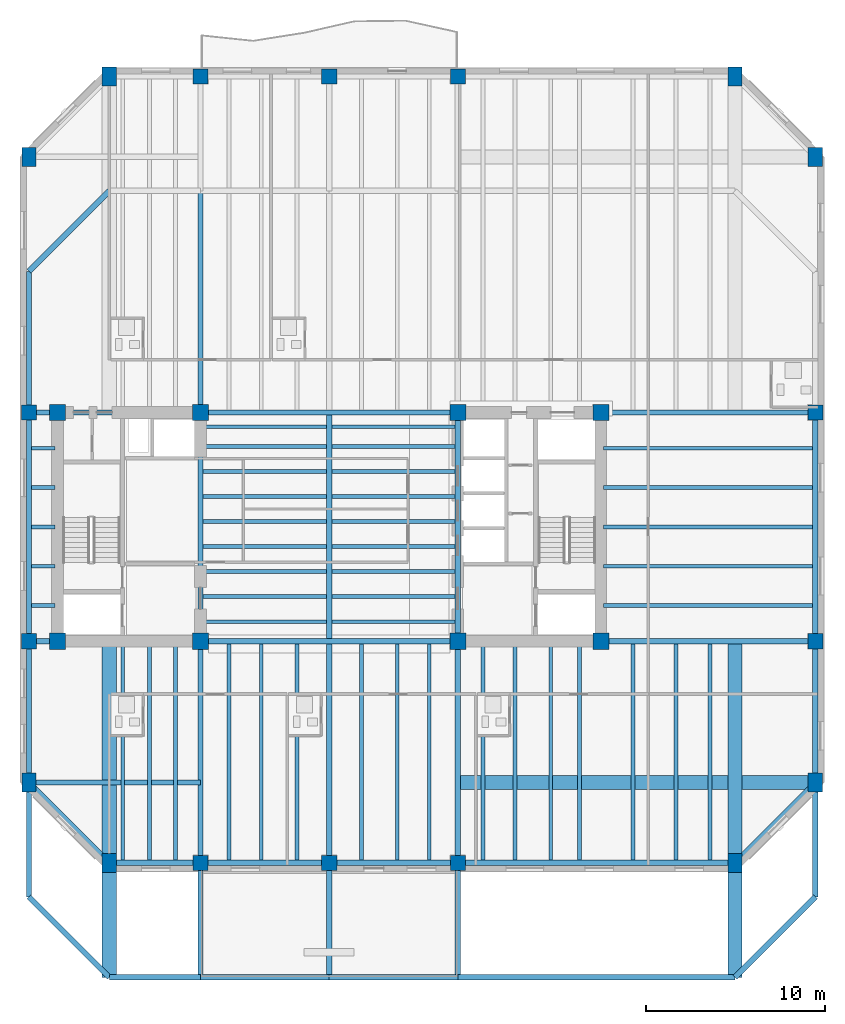
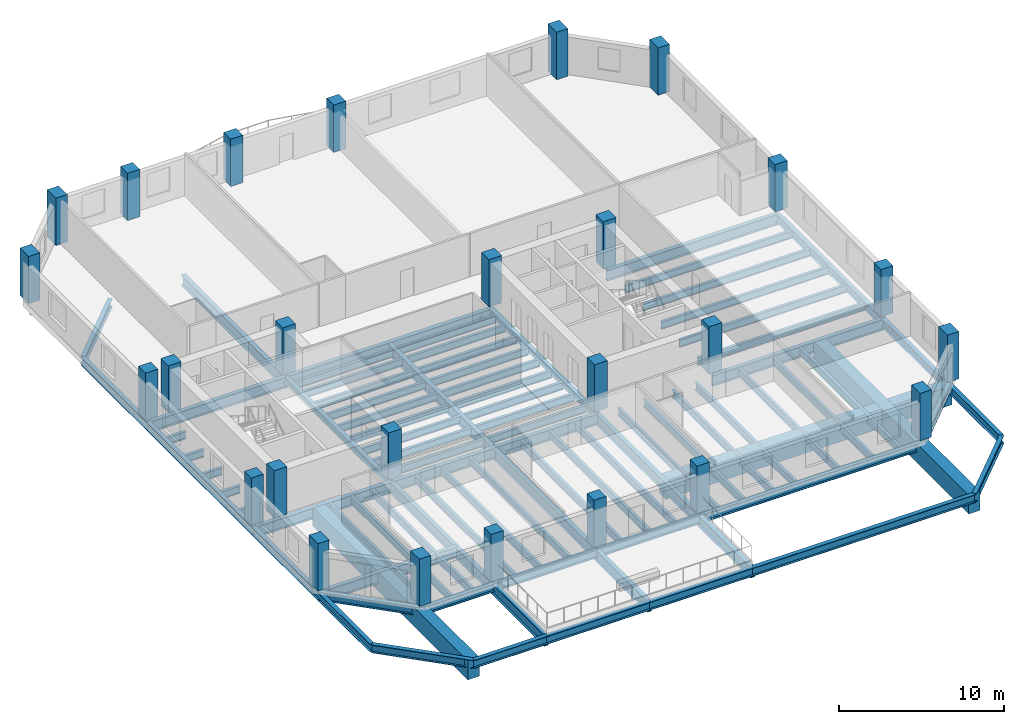
# One storey, part 1 of 10: 79 beams, 26 columns.
"""IFC4 building model written with IfcOpenShell, lengths in metres."""

from ifc_helpers import new_model, si_unit, direction, frame, origin, origin_2d, place, context, subcontext, project, spatial, rectangle, i_section, extrude, material, material_profile, profile_set, type_object, element, save


model = new_model("IFC4")

# Units and contexts
model_context = context("Model", 3, precision=1e-05, world=origin(), true_north=direction((0.0, 1.0)))
body_context = subcontext(model_context, "Body", "Model", "MODEL_VIEW")
ifc_project = project(units=[si_unit("LENGTHUNIT", "METRE"), si_unit("AREAUNIT", "SQUARE_METRE"), si_unit("VOLUMEUNIT", "CUBIC_METRE"), si_unit("PLANEANGLEUNIT", "RADIAN"), si_unit("MASSUNIT", "GRAM", prefix="KILO")], contexts=[model_context])

# Site, building, storey
site_placement = place(None, origin())
site = spatial("IfcSite", under=ifc_project, at=site_placement, CompositionType="ELEMENT")
building_placement = place(site_placement, origin())
building = spatial("IfcBuilding", under=site, at=building_placement, Name="Kranthara Brick Stack", CompositionType="ELEMENT")
storey_placement = place(building_placement, frame((0.0, 0.0, 162.300048828125)))
storey = spatial("IfcBuildingStorey", under=building, at=storey_placement, Name="L41", CompositionType="ELEMENT", Elevation=162.300048828125)

# Columns
ifc_material_1 = material(Name="Concrete C60/75", Category="concrete")
ifc_material_profile_1 = material_profile(ifc_material_1, rectangle(XDim=0.800048828125, YDim=1.050048828125, at=origin_2d()), Name="RC 800x1050")
ifc_profile_set_1 = profile_set([ifc_material_profile_1], Name="Concrete C60/75")
column_type_1 = type_object("IfcColumnType", Name="COL-CHAM-800x1050", PredefinedType="COLUMN", material=ifc_profile_set_1)
for number, where, z_axis, x_axis, name in (
    (1, (15.699951171875, 8.39990234375, 0.0), (0.0, 0.0, 1.0), (1.0, 0.0, 0.0), "L41 Column 09"),
    (2, (15.699951171875, 52.39990234375, 0.0), (0.0, 0.0, 1.0), (1.0, 0.0, 0.0), "L41 Column 10"),
    (3, (50.699951171875, 8.39990234375, 0.0), (0.0, 0.0, 1.0), (1.0, 0.0, 0.0), "L41 Column 17"),
    (4, (50.699951171875, 52.39990234375, 0.0), (0.0, 0.0, 1.0), (1.0, 0.0, 0.0), "L41 Column 18"),
    (5, (11.199951171875, 12.89990234375, 0.0), (0.0, 0.0, 1.0), (1.0, 0.0, 0.0), "L41 Column 19"),
    (6, (55.199951171875, 12.89990234375, 0.0), (0.0, 0.0, 1.0), (1.0, 0.0, 0.0), "L41 Column 20"),
    (7, (11.199951171875, 47.89990234375, 0.0), (0.0, 0.0, 1.0), (1.0, 0.0, 0.0), "L41 Column 25"),
    (8, (55.199951171875, 47.89990234375, 0.0), (0.0, 0.0, 1.0), (1.0, 0.0, 0.0), "L41 Column 26"),
):
    element("IfcColumn", number, at=place(storey_placement, frame(where, z_axis=z_axis, x_axis=x_axis)), inside=storey, type_object=column_type_1, Name=name, PredefinedType="COLUMN", context=body_context, shape_type="SweptSolid", body=[
        extrude(rectangle(XDim=0.800048828125, YDim=1.050048828125, at=origin_2d()), origin(), (0.0, 0.0, 1.0), 3.5),
    ])
ifc_material_2 = material(Name="Concrete C60/75", Category="concrete")
ifc_material_profile_2 = material_profile(ifc_material_2, rectangle(XDim=0.89990234375, YDim=0.89990234375, at=origin_2d()), Name="RC 900x900")
ifc_profile_set_2 = profile_set([ifc_material_profile_2], Name="Concrete C60/75")
column_type_2 = type_object("IfcColumnType", Name="COL-CORE-900", PredefinedType="COLUMN", material=ifc_profile_set_2)
for number, where, z_axis, x_axis, name in (
    (9, (12.800048828125, 20.800048828125, 0.0), (0.0, 0.0, 1.0), (1.0, 0.0, 0.0), "L41 Column 01"),
    (10, (20.800048828125, 20.800048828125, 0.0), (0.0, 0.0, 1.0), (1.0, 0.0, 0.0), "L41 Column 02"),
    (11, (12.800048828125, 33.60009765625, 0.0), (0.0, 0.0, 1.0), (1.0, 0.0, 0.0), "L41 Column 03"),
    (12, (20.800048828125, 33.60009765625, 0.0), (0.0, 0.0, 1.0), (1.0, 0.0, 0.0), "L41 Column 04"),
    (13, (35.199951171875, 20.800048828125, 0.0), (0.0, 0.0, 1.0), (1.0, 0.0, 0.0), "L41 Column 05"),
    (14, (43.199951171875, 20.800048828125, 0.0), (0.0, 0.0, 1.0), (1.0, 0.0, 0.0), "L41 Column 06"),
    (15, (35.199951171875, 33.60009765625, 0.0), (0.0, 0.0, 1.0), (1.0, 0.0, 0.0), "L41 Column 07"),
    (16, (43.199951171875, 33.60009765625, 0.0), (0.0, 0.0, 1.0), (1.0, 0.0, 0.0), "L41 Column 08"),
):
    element("IfcColumn", number, at=place(storey_placement, frame(where, z_axis=z_axis, x_axis=x_axis)), inside=storey, type_object=column_type_2, Name=name, PredefinedType="COLUMN", context=body_context, shape_type="SweptSolid", body=[
        extrude(rectangle(XDim=0.89990234375, YDim=0.89990234375, at=origin_2d()), origin(), (0.0, 0.0, 1.0), 3.5),
    ])
ifc_material_3 = material(Name="Concrete C50/60", Category="concrete")
ifc_material_profile_3 = material_profile(ifc_material_3, rectangle(XDim=0.85009765625, YDim=0.85009765625, at=origin_2d()), Name="RC 850x850")
ifc_profile_set_3 = profile_set([ifc_material_profile_3], Name="Concrete C50/60")
column_type_3 = type_object("IfcColumnType", Name="COL-PER-850", PredefinedType="COLUMN", material=ifc_profile_set_3)
for number, where, z_axis, x_axis, name in (
    (17, (20.800048828125, 8.39990234375, 0.0), (0.0, 0.0, 1.0), (1.0, 0.0, 0.0), "L41 Column 11"),
    (18, (20.800048828125, 52.39990234375, 0.0), (0.0, 0.0, 1.0), (1.0, 0.0, 0.0), "L41 Column 12"),
    (19, (28.0, 8.39990234375, 0.0), (0.0, 0.0, 1.0), (1.0, 0.0, 0.0), "L41 Column 13"),
    (20, (28.0, 52.39990234375, 0.0), (0.0, 0.0, 1.0), (1.0, 0.0, 0.0), "L41 Column 14"),
    (21, (35.199951171875, 8.39990234375, 0.0), (0.0, 0.0, 1.0), (1.0, 0.0, 0.0), "L41 Column 15"),
    (22, (35.199951171875, 52.39990234375, 0.0), (0.0, 0.0, 1.0), (1.0, 0.0, 0.0), "L41 Column 16"),
    (23, (11.199951171875, 20.800048828125, 0.0), (0.0, 0.0, 1.0), (1.0, 0.0, 0.0), "L41 Column 21"),
    (24, (55.199951171875, 20.800048828125, 0.0), (0.0, 0.0, 1.0), (1.0, 0.0, 0.0), "L41 Column 22"),
    (25, (11.199951171875, 33.60009765625, 0.0), (0.0, 0.0, 1.0), (1.0, 0.0, 0.0), "L41 Column 23"),
    (26, (55.199951171875, 33.60009765625, 0.0), (0.0, 0.0, 1.0), (1.0, 0.0, 0.0), "L41 Column 24"),
):
    element("IfcColumn", number, at=place(storey_placement, frame(where, z_axis=z_axis, x_axis=x_axis)), inside=storey, type_object=column_type_3, Name=name, PredefinedType="COLUMN", context=body_context, shape_type="SweptSolid", body=[
        extrude(rectangle(XDim=0.85009765625, YDim=0.85009765625, at=origin_2d()), origin(), (0.0, 0.0, 1.0), 3.5),
    ])

# Beams
ifc_material_4 = material(Name="Steel S355", Category="steel")
ifc_material_profile_4 = material_profile(ifc_material_4, i_section(OverallWidth=0.2099609375, OverallDepth=0.550048828125, WebThickness=0.010986328125, FlangeThickness=0.01708984375, at=origin_2d()), Name="IPE 550")
ifc_profile_set_4 = profile_set([ifc_material_profile_4], Name="Steel S355")
beam_type_1 = type_object("IfcBeamType", Name="BM-JST-IPE550", PredefinedType="JOIST", material=ifc_profile_set_4)
for number, where, z_axis, x_axis, name in (
    (27, (20.949951171875, 21.89990234375, -0.72509765625), (1.0, 0.0, 0.0), (0.0, 1.0, 0.0), "L41 Central Floor Joist 057"),
    (28, (28.14990234375, 21.89990234375, -0.72509765625), (1.0, 0.0, 0.0), (0.0, 1.0, 0.0), "L41 Central Floor Joist 058"),
    (29, (20.949951171875, 23.300048828125, -0.72509765625), (1.0, 0.0, 0.0), (0.0, 1.0, 0.0), "L41 Central Floor Joist 059"),
    (30, (28.14990234375, 23.300048828125, -0.72509765625), (1.0, 0.0, 0.0), (0.0, 1.0, 0.0), "L41 Central Floor Joist 060"),
    (31, (20.949951171875, 24.699951171875, -0.72509765625), (1.0, 0.0, 0.0), (0.0, 1.0, 0.0), "L41 Central Floor Joist 061"),
    (32, (28.14990234375, 24.699951171875, -0.72509765625), (1.0, 0.0, 0.0), (0.0, 1.0, 0.0), "L41 Central Floor Joist 062"),
    (33, (20.949951171875, 26.10009765625, -0.72509765625), (1.0, 0.0, 0.0), (0.0, 1.0, 0.0), "L41 Central Floor Joist 063"),
    (34, (28.14990234375, 26.10009765625, -0.72509765625), (1.0, 0.0, 0.0), (0.0, 1.0, 0.0), "L41 Central Floor Joist 064"),
    (35, (20.949951171875, 27.5, -0.72509765625), (1.0, 0.0, 0.0), (0.0, 1.0, 0.0), "L41 Central Floor Joist 065"),
    (36, (28.14990234375, 27.5, -0.72509765625), (1.0, 0.0, 0.0), (0.0, 1.0, 0.0), "L41 Central Floor Joist 066"),
    (37, (20.949951171875, 28.89990234375, -0.72509765625), (1.0, 0.0, 0.0), (0.0, 1.0, 0.0), "L41 Central Floor Joist 067"),
    (38, (28.14990234375, 28.89990234375, -0.72509765625), (1.0, 0.0, 0.0), (0.0, 1.0, 0.0), "L41 Central Floor Joist 068"),
    (39, (20.949951171875, 30.300048828125, -0.72509765625), (1.0, 0.0, 0.0), (0.0, 1.0, 0.0), "L41 Central Floor Joist 069"),
    (40, (28.14990234375, 30.300048828125, -0.72509765625), (1.0, 0.0, 0.0), (0.0, 1.0, 0.0), "L41 Central Floor Joist 070"),
    (41, (20.949951171875, 31.699951171875, -0.72509765625), (1.0, 0.0, 0.0), (0.0, 1.0, 0.0), "L41 Central Floor Joist 071"),
    (42, (28.14990234375, 31.699951171875, -0.72509765625), (1.0, 0.0, 0.0), (0.0, 1.0, 0.0), "L41 Central Floor Joist 072"),
    (43, (20.949951171875, 32.800048828125, -0.72509765625), (1.0, 0.0, 0.0), (0.0, 1.0, 0.0), "L41 Central Floor Joist 073"),
    (44, (28.14990234375, 32.800048828125, -0.72509765625), (1.0, 0.0, 0.0), (0.0, 1.0, 0.0), "L41 Central Floor Joist 074"),
):
    element("IfcBeam", number, at=place(storey_placement, frame(where, z_axis=z_axis, x_axis=x_axis)), inside=storey, type_object=beam_type_1, Name=name, PredefinedType="JOIST", context=body_context, shape_type="SweptSolid", body=[
        extrude(i_section(OverallWidth=0.2099609375, OverallDepth=0.550048828125, WebThickness=0.010986328125, FlangeThickness=0.01708984375, at=origin_2d()), origin(), (0.0, 0.0, 1.0), 6.900146484375),
    ])
for number, where, z_axis, x_axis, name in (
    (45, (16.449951171875, 8.550048828125, -0.72509765625), (0.0, 1.0, 0.0), (-1.0, 0.0, 0.0), "L41 South Wing Floor Joist 075"),
    (46, (17.949951171875, 8.550048828125, -0.72509765625), (0.0, 1.0, 0.0), (-1.0, 0.0, 0.0), "L41 South Wing Floor Joist 077"),
    (47, (19.39990234375, 8.550048828125, -0.72509765625), (0.0, 1.0, 0.0), (-1.0, 0.0, 0.0), "L41 South Wing Floor Joist 079"),
    (48, (22.39990234375, 8.550048828125, -0.72509765625), (0.0, 1.0, 0.0), (-1.0, 0.0, 0.0), "L41 South Wing Floor Joist 081"),
    (49, (24.199951171875, 8.550048828125, -0.72509765625), (0.0, 1.0, 0.0), (-1.0, 0.0, 0.0), "L41 South Wing Floor Joist 083"),
    (50, (26.199951171875, 8.550048828125, -0.72509765625), (0.0, 1.0, 0.0), (-1.0, 0.0, 0.0), "L41 South Wing Floor Joist 085"),
    (51, (29.800048828125, 8.550048828125, -0.72509765625), (0.0, 1.0, 0.0), (-1.0, 0.0, 0.0), "L41 South Wing Floor Joist 087"),
    (52, (31.800048828125, 8.550048828125, -0.72509765625), (0.0, 1.0, 0.0), (-1.0, 0.0, 0.0), "L41 South Wing Floor Joist 089"),
    (53, (33.60009765625, 8.550048828125, -0.72509765625), (0.0, 1.0, 0.0), (-1.0, 0.0, 0.0), "L41 South Wing Floor Joist 091"),
    (54, (36.60009765625, 8.550048828125, -0.72509765625), (0.0, 1.0, 0.0), (-1.0, 0.0, 0.0), "L41 South Wing Floor Joist 093"),
    (55, (38.39990234375, 8.550048828125, -0.72509765625), (0.0, 1.0, 0.0), (-1.0, 0.0, 0.0), "L41 South Wing Floor Joist 095"),
    (56, (40.39990234375, 8.550048828125, -0.72509765625), (0.0, 1.0, 0.0), (-1.0, 0.0, 0.0), "L41 South Wing Floor Joist 097"),
    (57, (42.0, 8.550048828125, -0.72509765625), (0.0, 1.0, 0.0), (-1.0, 0.0, 0.0), "L41 South Wing Floor Joist 099"),
    (58, (45.0, 8.550048828125, -0.72509765625), (0.0, 1.0, 0.0), (-1.0, 0.0, 0.0), "L41 South Wing Floor Joist 101"),
    (59, (47.39990234375, 8.550048828125, -0.72509765625), (0.0, 1.0, 0.0), (-1.0, 0.0, 0.0), "L41 South Wing Floor Joist 103"),
    (60, (49.300048828125, 8.550048828125, -0.72509765625), (0.0, 1.0, 0.0), (-1.0, 0.0, 0.0), "L41 South Wing Floor Joist 105"),
):
    element("IfcBeam", number, at=place(storey_placement, frame(where, z_axis=z_axis, x_axis=x_axis)), inside=storey, type_object=beam_type_1, Name=name, PredefinedType="JOIST", context=body_context, shape_type="SweptSolid", body=[
        extrude(i_section(OverallWidth=0.2099609375, OverallDepth=0.550048828125, WebThickness=0.010986328125, FlangeThickness=0.01708984375, at=origin_2d()), origin(), (0.0, 0.0, 1.0), 12.099853515625),
    ])
beam_1_placement = place(storey_placement, frame((11.35009765625, 22.800048828125, -0.72509765625), z_axis=(1.0, 0.0, 0.0), x_axis=(0.0, 1.0, 0.0)))
element("IfcBeam", 61, at=beam_1_placement, inside=storey, type_object=beam_type_1, Name="L41 West Wing Floor Joist 107", PredefinedType="JOIST", context=body_context, shape_type="SweptSolid", body=[
    extrude(i_section(OverallWidth=0.2099609375, OverallDepth=0.550048828125, WebThickness=0.010986328125, FlangeThickness=0.01708984375, at=origin_2d()), origin(), (0.0, 0.0, 1.0), 1.2998046875),
])
beam_2_placement = place(storey_placement, frame((43.35009765625, 22.800048828125, -0.72509765625), z_axis=(1.0, 0.0, 0.0), x_axis=(0.0, 1.0, 0.0)))
element("IfcBeam", 62, at=beam_2_placement, inside=storey, type_object=beam_type_1, Name="L41 East Wing Floor Joist 108", PredefinedType="JOIST", context=body_context, shape_type="SweptSolid", body=[
    extrude(i_section(OverallWidth=0.2099609375, OverallDepth=0.550048828125, WebThickness=0.010986328125, FlangeThickness=0.01708984375, at=origin_2d()), origin(), (0.0, 0.0, 1.0), 11.699951171875),
])
beam_3_placement = place(storey_placement, frame((11.35009765625, 25.0, -0.72509765625), z_axis=(1.0, 0.0, 0.0), x_axis=(0.0, 1.0, 0.0)))
element("IfcBeam", 63, at=beam_3_placement, inside=storey, type_object=beam_type_1, Name="L41 West Wing Floor Joist 109", PredefinedType="JOIST", context=body_context, shape_type="SweptSolid", body=[
    extrude(i_section(OverallWidth=0.2099609375, OverallDepth=0.550048828125, WebThickness=0.010986328125, FlangeThickness=0.01708984375, at=origin_2d()), origin(), (0.0, 0.0, 1.0), 1.2998046875),
])
beam_4_placement = place(storey_placement, frame((43.35009765625, 25.0, -0.72509765625), z_axis=(1.0, 0.0, 0.0), x_axis=(0.0, 1.0, 0.0)))
element("IfcBeam", 64, at=beam_4_placement, inside=storey, type_object=beam_type_1, Name="L41 East Wing Floor Joist 110", PredefinedType="JOIST", context=body_context, shape_type="SweptSolid", body=[
    extrude(i_section(OverallWidth=0.2099609375, OverallDepth=0.550048828125, WebThickness=0.010986328125, FlangeThickness=0.01708984375, at=origin_2d()), origin(), (0.0, 0.0, 1.0), 11.699951171875),
])
beam_5_placement = place(storey_placement, frame((11.35009765625, 27.199951171875, -0.72509765625), z_axis=(1.0, 0.0, 0.0), x_axis=(0.0, 1.0, 0.0)))
element("IfcBeam", 65, at=beam_5_placement, inside=storey, type_object=beam_type_1, Name="L41 West Wing Floor Joist 111", PredefinedType="JOIST", context=body_context, shape_type="SweptSolid", body=[
    extrude(i_section(OverallWidth=0.2099609375, OverallDepth=0.550048828125, WebThickness=0.010986328125, FlangeThickness=0.01708984375, at=origin_2d()), origin(), (0.0, 0.0, 1.0), 1.2998046875),
])
beam_6_placement = place(storey_placement, frame((43.35009765625, 27.199951171875, -0.72509765625), z_axis=(1.0, 0.0, 0.0), x_axis=(0.0, 1.0, 0.0)))
element("IfcBeam", 66, at=beam_6_placement, inside=storey, type_object=beam_type_1, Name="L41 East Wing Floor Joist 112", PredefinedType="JOIST", context=body_context, shape_type="SweptSolid", body=[
    extrude(i_section(OverallWidth=0.2099609375, OverallDepth=0.550048828125, WebThickness=0.010986328125, FlangeThickness=0.01708984375, at=origin_2d()), origin(), (0.0, 0.0, 1.0), 11.699951171875),
])
beam_7_placement = place(storey_placement, frame((11.35009765625, 29.39990234375, -0.72509765625), z_axis=(1.0, 0.0, 0.0), x_axis=(0.0, 1.0, 0.0)))
element("IfcBeam", 67, at=beam_7_placement, inside=storey, type_object=beam_type_1, Name="L41 West Wing Floor Joist 113", PredefinedType="JOIST", context=body_context, shape_type="SweptSolid", body=[
    extrude(i_section(OverallWidth=0.2099609375, OverallDepth=0.550048828125, WebThickness=0.010986328125, FlangeThickness=0.01708984375, at=origin_2d()), origin(), (0.0, 0.0, 1.0), 1.2998046875),
])
beam_8_placement = place(storey_placement, frame((43.35009765625, 29.39990234375, -0.72509765625), z_axis=(1.0, 0.0, 0.0), x_axis=(0.0, 1.0, 0.0)))
element("IfcBeam", 68, at=beam_8_placement, inside=storey, type_object=beam_type_1, Name="L41 East Wing Floor Joist 114", PredefinedType="JOIST", context=body_context, shape_type="SweptSolid", body=[
    extrude(i_section(OverallWidth=0.2099609375, OverallDepth=0.550048828125, WebThickness=0.010986328125, FlangeThickness=0.01708984375, at=origin_2d()), origin(), (0.0, 0.0, 1.0), 11.699951171875),
])
beam_9_placement = place(storey_placement, frame((11.35009765625, 31.60009765625, -0.72509765625), z_axis=(1.0, 0.0, 0.0), x_axis=(0.0, 1.0, 0.0)))
element("IfcBeam", 69, at=beam_9_placement, inside=storey, type_object=beam_type_1, Name="L41 West Wing Floor Joist 115", PredefinedType="JOIST", context=body_context, shape_type="SweptSolid", body=[
    extrude(i_section(OverallWidth=0.2099609375, OverallDepth=0.550048828125, WebThickness=0.010986328125, FlangeThickness=0.01708984375, at=origin_2d()), origin(), (0.0, 0.0, 1.0), 1.2998046875),
])
beam_10_placement = place(storey_placement, frame((43.35009765625, 31.60009765625, -0.72509765625), z_axis=(1.0, 0.0, 0.0), x_axis=(0.0, 1.0, 0.0)))
element("IfcBeam", 70, at=beam_10_placement, inside=storey, type_object=beam_type_1, Name="L41 East Wing Floor Joist 116", PredefinedType="JOIST", context=body_context, shape_type="SweptSolid", body=[
    extrude(i_section(OverallWidth=0.2099609375, OverallDepth=0.550048828125, WebThickness=0.010986328125, FlangeThickness=0.01708984375, at=origin_2d()), origin(), (0.0, 0.0, 1.0), 11.699951171875),
])
ifc_material_5 = material(Name="Steel S355", Category="steel")
ifc_material_profile_5 = material_profile(ifc_material_5, i_section(OverallWidth=0.300048828125, OverallDepth=0.449951171875, WebThickness=0.013916015625, FlangeThickness=0.02587890625, at=origin_2d()), Name="HEB 450")
ifc_profile_set_5 = profile_set([ifc_material_profile_5], Name="Steel S355")
beam_type_2 = type_object("IfcBeamType", Name="BM-STL-HEB450", PredefinedType="SPANDREL", material=ifc_profile_set_5)
for number, where, z_axis, x_axis, name in (
    (71, (20.800048828125, 20.800048828125, -0.675048828125), (0.0, 1.0, 0.0), (-1.0, 0.0, 0.0), "L41 Core Edge Tie Beam 003"),
    (72, (35.199951171875, 20.800048828125, -0.675048828125), (0.0, 1.0, 0.0), (-1.0, 0.0, 0.0), "L41 Core Edge Tie Beam 004"),
):
    element("IfcBeam", number, at=place(storey_placement, frame(where, z_axis=z_axis, x_axis=x_axis)), inside=storey, type_object=beam_type_2, Name=name, PredefinedType="SPANDREL", context=body_context, shape_type="SweptSolid", body=[
        extrude(i_section(OverallWidth=0.300048828125, OverallDepth=0.449951171875, WebThickness=0.013916015625, FlangeThickness=0.02587890625, at=origin_2d()), origin(), (0.0, 0.0, 1.0), 12.800048828125),
    ])
ifc_material_6 = material(Name="Steel S355", Category="steel")
ifc_material_profile_6 = material_profile(ifc_material_6, i_section(OverallWidth=0.300048828125, OverallDepth=0.60009765625, WebThickness=0.015380859375, FlangeThickness=0.030029296875, at=origin_2d()), Name="HEB 600")
ifc_profile_set_6 = profile_set([ifc_material_profile_6], Name="Steel S355")
beam_type_3 = type_object("IfcBeamType", Name="BM-STL-HEB600", PredefinedType="BEAM", material=ifc_profile_set_6)
beam_11_placement = place(storey_placement, frame((15.699951171875, 2.0, -0.75), z_axis=(1.0, 0.0, 0.0), x_axis=(0.0, 1.0, 0.0)))
element("IfcBeam", 73, at=beam_11_placement, inside=storey, type_object=beam_type_3, Name="L41 Perimeter Spandrel Beam 005", PredefinedType="BEAM", context=body_context, shape_type="SweptSolid", body=[
    extrude(i_section(OverallWidth=0.300048828125, OverallDepth=0.60009765625, WebThickness=0.015380859375, FlangeThickness=0.030029296875, at=origin_2d()), origin(), (0.0, 0.0, 1.0), 5.10009765625),
])
for number, where, z_axis, x_axis, name in (
    (74, (20.800048828125, 2.0, -0.75), (1.0, 0.0, 0.0), (0.0, 1.0, 0.0), "L41 Perimeter Spandrel Beam 006"),
    (75, (28.0, 2.0, -0.75), (1.0, 0.0, 0.0), (0.0, 1.0, 0.0), "L41 Perimeter Spandrel Beam 007"),
):
    element("IfcBeam", number, at=place(storey_placement, frame(where, z_axis=z_axis, x_axis=x_axis)), inside=storey, type_object=beam_type_3, Name=name, PredefinedType="BEAM", context=body_context, shape_type="SweptSolid", body=[
        extrude(i_section(OverallWidth=0.300048828125, OverallDepth=0.60009765625, WebThickness=0.015380859375, FlangeThickness=0.030029296875, at=origin_2d()), origin(), (0.0, 0.0, 1.0), 7.199951171875),
    ])
beam_12_placement = place(storey_placement, frame((35.199951171875, 2.0, -0.75), z_axis=(1.0, 0.0, 0.0), x_axis=(0.0, 1.0, 0.0)))
element("IfcBeam", 76, at=beam_12_placement, inside=storey, type_object=beam_type_3, Name="L41 Perimeter Spandrel Beam 008", PredefinedType="BEAM", context=body_context, shape_type="SweptSolid", body=[
    extrude(i_section(OverallWidth=0.300048828125, OverallDepth=0.60009765625, WebThickness=0.015380859375, FlangeThickness=0.030029296875, at=origin_2d()), origin(), (0.0, 0.0, 1.0), 15.5),
])
beam_13_placement = place(storey_placement, frame((11.199951171875, 6.5, -0.75), z_axis=(0.0, 1.0, 0.0), x_axis=(-1.0, 0.0, 0.0)))
element("IfcBeam", 77, at=beam_13_placement, inside=storey, type_object=beam_type_3, Name="L41 Perimeter Spandrel Beam 013", PredefinedType="BEAM", context=body_context, shape_type="SweptSolid", body=[
    extrude(i_section(OverallWidth=0.300048828125, OverallDepth=0.60009765625, WebThickness=0.015380859375, FlangeThickness=0.030029296875, at=origin_2d()), origin(), (0.0, 0.0, 1.0), 14.300048828125),
])
beam_14_placement = place(storey_placement, frame((11.199951171875, 20.800048828125, -0.75), z_axis=(0.0, 1.0, 0.0), x_axis=(-1.0, 0.0, 0.0)))
element("IfcBeam", 78, at=beam_14_placement, inside=storey, type_object=beam_type_3, Name="L41 Perimeter Spandrel Beam 014", PredefinedType="BEAM", context=body_context, shape_type="SweptSolid", body=[
    extrude(i_section(OverallWidth=0.300048828125, OverallDepth=0.60009765625, WebThickness=0.015380859375, FlangeThickness=0.030029296875, at=origin_2d()), origin(), (0.0, 0.0, 1.0), 12.800048828125),
])
beam_15_placement = place(storey_placement, frame((11.199951171875, 33.60009765625, -0.75), z_axis=(0.0, 1.0, 0.0), x_axis=(-1.0, 0.0, 0.0)))
element("IfcBeam", 79, at=beam_15_placement, inside=storey, type_object=beam_type_3, Name="L41 Perimeter Spandrel Beam 015", PredefinedType="BEAM", context=body_context, shape_type="SweptSolid", body=[
    extrude(i_section(OverallWidth=0.300048828125, OverallDepth=0.60009765625, WebThickness=0.015380859375, FlangeThickness=0.030029296875, at=origin_2d()), origin(), (0.0, 0.0, 1.0), 7.89990234375),
])
beam_16_placement = place(storey_placement, frame((55.199951171875, 6.5, -0.75), z_axis=(0.0, 1.0, 0.0), x_axis=(-1.0, 0.0, 0.0)))
element("IfcBeam", 80, at=beam_16_placement, inside=storey, type_object=beam_type_3, Name="L41 Perimeter Spandrel Beam 016", PredefinedType="BEAM", context=body_context, shape_type="SweptSolid", body=[
    extrude(i_section(OverallWidth=0.300048828125, OverallDepth=0.60009765625, WebThickness=0.015380859375, FlangeThickness=0.030029296875, at=origin_2d()), origin(), (0.0, 0.0, 1.0), 14.300048828125),
])
beam_17_placement = place(storey_placement, frame((55.199951171875, 20.800048828125, -0.75), z_axis=(0.0, 1.0, 0.0), x_axis=(-1.0, 0.0, 0.0)))
element("IfcBeam", 81, at=beam_17_placement, inside=storey, type_object=beam_type_3, Name="L41 Perimeter Spandrel Beam 017", PredefinedType="BEAM", context=body_context, shape_type="SweptSolid", body=[
    extrude(i_section(OverallWidth=0.300048828125, OverallDepth=0.60009765625, WebThickness=0.015380859375, FlangeThickness=0.030029296875, at=origin_2d()), origin(), (0.0, 0.0, 1.0), 12.800048828125),
])
for number, where, z_axis, x_axis, name in (
    (82, (15.699951171875, 2.0, -0.75), (-0.707106781187, 0.707106781187, 0.0), (-0.707106781187, -0.707106781187, 0.0), "L41 Chamfer Corner Spandrel 019"),
    (83, (50.699951171875, 2.0, -0.75), (0.707106781187, 0.707106781187, 0.0), (-0.707106781187, 0.707106781187, 0.0), "L41 Chamfer Corner Spandrel 020"),
    (84, (15.699951171875, 46.0, -0.75), (-0.707106781187, -0.707106781187, 0.0), (0.707106781187, -0.707106781187, 0.0), "L41 Chamfer Corner Spandrel 021"),
):
    element("IfcBeam", number, at=place(storey_placement, frame(where, z_axis=z_axis, x_axis=x_axis)), inside=storey, type_object=beam_type_3, Name=name, PredefinedType="BEAM", context=body_context, shape_type="SweptSolid", body=[
        extrude(i_section(OverallWidth=0.300048828125, OverallDepth=0.60009765625, WebThickness=0.015380859375, FlangeThickness=0.030029296875, at=origin_2d()), origin(), (0.0, 0.0, 1.0), 6.364013671875),
    ])
beam_18_placement = place(storey_placement, frame((15.699951171875, 8.39990234375, -0.75), z_axis=(1.0, 0.0, 0.0), x_axis=(0.0, 1.0, 0.0)))
element("IfcBeam", 85, at=beam_18_placement, inside=storey, type_object=beam_type_3, Name="L41 Perimeter Spandrel Beam 023", PredefinedType="BEAM", context=body_context, shape_type="SweptSolid", body=[
    extrude(i_section(OverallWidth=0.300048828125, OverallDepth=0.60009765625, WebThickness=0.015380859375, FlangeThickness=0.030029296875, at=origin_2d()), origin(), (0.0, 0.0, 1.0), 5.10009765625),
])
for number, where, z_axis, x_axis, name in (
    (86, (20.800048828125, 8.39990234375, -0.75), (1.0, 0.0, 0.0), (0.0, 1.0, 0.0), "L41 Perimeter Spandrel Beam 024"),
    (87, (28.0, 8.39990234375, -0.75), (1.0, 0.0, 0.0), (0.0, 1.0, 0.0), "L41 Perimeter Spandrel Beam 025"),
):
    element("IfcBeam", number, at=place(storey_placement, frame(where, z_axis=z_axis, x_axis=x_axis)), inside=storey, type_object=beam_type_3, Name=name, PredefinedType="BEAM", context=body_context, shape_type="SweptSolid", body=[
        extrude(i_section(OverallWidth=0.300048828125, OverallDepth=0.60009765625, WebThickness=0.015380859375, FlangeThickness=0.030029296875, at=origin_2d()), origin(), (0.0, 0.0, 1.0), 7.199951171875),
    ])
beam_19_placement = place(storey_placement, frame((35.199951171875, 8.39990234375, -0.75), z_axis=(1.0, 0.0, 0.0), x_axis=(0.0, 1.0, 0.0)))
element("IfcBeam", 88, at=beam_19_placement, inside=storey, type_object=beam_type_3, Name="L41 Perimeter Spandrel Beam 026", PredefinedType="BEAM", context=body_context, shape_type="SweptSolid", body=[
    extrude(i_section(OverallWidth=0.300048828125, OverallDepth=0.60009765625, WebThickness=0.015380859375, FlangeThickness=0.030029296875, at=origin_2d()), origin(), (0.0, 0.0, 1.0), 15.5),
])
for number, where, z_axis, x_axis, name in (
    (89, (15.699951171875, 8.39990234375, -0.75), (-0.707106781187, 0.707106781187, 0.0), (-0.707106781187, -0.707106781187, 0.0), "L41 Chamfer Corner Spandrel 031"),
    (90, (50.699951171875, 8.39990234375, -0.75), (0.707106781187, 0.707106781187, 0.0), (-0.707106781187, 0.707106781187, 0.0), "L41 Chamfer Corner Spandrel 032"),
):
    element("IfcBeam", number, at=place(storey_placement, frame(where, z_axis=z_axis, x_axis=x_axis)), inside=storey, type_object=beam_type_3, Name=name, PredefinedType="BEAM", context=body_context, shape_type="SweptSolid", body=[
        extrude(i_section(OverallWidth=0.300048828125, OverallDepth=0.60009765625, WebThickness=0.015380859375, FlangeThickness=0.030029296875, at=origin_2d()), origin(), (0.0, 0.0, 1.0), 6.364013671875),
    ])
ifc_material_7 = material(Name="Steel S355", Category="steel")
ifc_material_profile_7 = material_profile(ifc_material_7, i_section(OverallWidth=0.300048828125, OverallDepth=0.800048828125, WebThickness=0.017578125, FlangeThickness=0.032958984375, at=origin_2d()), Name="HEB 800")
ifc_profile_set_7 = profile_set([ifc_material_profile_7], Name="Steel S355")
beam_type_4 = type_object("IfcBeamType", Name="BM-TR-HEB800", PredefinedType="BEAM", material=ifc_profile_set_7)
for number, where, z_axis, x_axis, name in (
    (91, (20.800048828125, 20.800048828125, -0.85009765625), (1.0, 0.0, 0.0), (0.0, 1.0, 0.0), "L41 Core Coupling Beam 001"),
    (92, (20.800048828125, 33.60009765625, -0.85009765625), (1.0, 0.0, 0.0), (0.0, 1.0, 0.0), "L41 Core Coupling Beam 002"),
):
    element("IfcBeam", number, at=place(storey_placement, frame(where, z_axis=z_axis, x_axis=x_axis)), inside=storey, type_object=beam_type_4, Name=name, PredefinedType="BEAM", context=body_context, shape_type="SweptSolid", body=[
        extrude(i_section(OverallWidth=0.300048828125, OverallDepth=0.800048828125, WebThickness=0.017578125, FlangeThickness=0.032958984375, at=origin_2d()), origin(), (0.0, 0.0, 1.0), 14.39990234375),
    ])
beam_20_placement = place(storey_placement, frame((20.800048828125, 2.0, -0.85009765625), z_axis=(0.0, 1.0, 0.0), x_axis=(-1.0, 0.0, 0.0)))
element("IfcBeam", 93, at=beam_20_placement, inside=storey, type_object=beam_type_4, Name="L41 Primary Grid Girder 035", PredefinedType="BEAM", context=body_context, shape_type="SweptSolid", body=[
    extrude(i_section(OverallWidth=0.300048828125, OverallDepth=0.800048828125, WebThickness=0.017578125, FlangeThickness=0.032958984375, at=origin_2d()), origin(), (0.0, 0.0, 1.0), 18.800048828125),
])
beam_21_placement = place(storey_placement, frame((20.800048828125, 33.60009765625, -0.85009765625), z_axis=(0.0, 1.0, 0.0), x_axis=(-1.0, 0.0, 0.0)))
element("IfcBeam", 94, at=beam_21_placement, inside=storey, type_object=beam_type_4, Name="L41 Primary Grid Girder 036", PredefinedType="BEAM", context=body_context, shape_type="SweptSolid", body=[
    extrude(i_section(OverallWidth=0.300048828125, OverallDepth=0.800048828125, WebThickness=0.017578125, FlangeThickness=0.032958984375, at=origin_2d()), origin(), (0.0, 0.0, 1.0), 12.39990234375),
])
beam_22_placement = place(storey_placement, frame((28.0, 2.0, -0.85009765625), z_axis=(0.0, 1.0, 0.0), x_axis=(-1.0, 0.0, 0.0)))
element("IfcBeam", 95, at=beam_22_placement, inside=storey, type_object=beam_type_4, Name="L41 Primary Grid Girder 038", PredefinedType="BEAM", context=body_context, shape_type="SweptSolid", body=[
    extrude(i_section(OverallWidth=0.300048828125, OverallDepth=0.800048828125, WebThickness=0.017578125, FlangeThickness=0.032958984375, at=origin_2d()), origin(), (0.0, 0.0, 1.0), 18.64990234375),
])
beam_23_placement = place(storey_placement, frame((28.0, 20.949951171875, -0.85009765625), z_axis=(0.0, 1.0, 0.0), x_axis=(-1.0, 0.0, 0.0)))
element("IfcBeam", 96, at=beam_23_placement, inside=storey, type_object=beam_type_4, Name="L41 Central Spine Girder 039", PredefinedType="BEAM", context=body_context, shape_type="SweptSolid", body=[
    extrude(i_section(OverallWidth=0.300048828125, OverallDepth=0.800048828125, WebThickness=0.017578125, FlangeThickness=0.032958984375, at=origin_2d()), origin(), (0.0, 0.0, 1.0), 12.5),
])
beam_24_placement = place(storey_placement, frame((35.199951171875, 2.0, -0.85009765625), z_axis=(0.0, 1.0, 0.0), x_axis=(-1.0, 0.0, 0.0)))
element("IfcBeam", 97, at=beam_24_placement, inside=storey, type_object=beam_type_4, Name="L41 Primary Grid Girder 042", PredefinedType="BEAM", context=body_context, shape_type="SweptSolid", body=[
    extrude(i_section(OverallWidth=0.300048828125, OverallDepth=0.800048828125, WebThickness=0.017578125, FlangeThickness=0.032958984375, at=origin_2d()), origin(), (0.0, 0.0, 1.0), 18.800048828125),
])
beam_25_placement = place(storey_placement, frame((11.199951171875, 20.800048828125, -0.85009765625), z_axis=(1.0, 0.0, 0.0), x_axis=(0.0, 1.0, 0.0)))
element("IfcBeam", 98, at=beam_25_placement, inside=storey, type_object=beam_type_4, Name="L41 Primary Grid Girder 045", PredefinedType="BEAM", context=body_context, shape_type="SweptSolid", body=[
    extrude(i_section(OverallWidth=0.300048828125, OverallDepth=0.800048828125, WebThickness=0.017578125, FlangeThickness=0.032958984375, at=origin_2d()), origin(), (0.0, 0.0, 1.0), 9.60009765625),
])
beam_26_placement = place(storey_placement, frame((43.199951171875, 20.800048828125, -0.85009765625), z_axis=(1.0, 0.0, 0.0), x_axis=(0.0, 1.0, 0.0)))
element("IfcBeam", 99, at=beam_26_placement, inside=storey, type_object=beam_type_4, Name="L41 Primary Grid Girder 046", PredefinedType="BEAM", context=body_context, shape_type="SweptSolid", body=[
    extrude(i_section(OverallWidth=0.300048828125, OverallDepth=0.800048828125, WebThickness=0.017578125, FlangeThickness=0.032958984375, at=origin_2d()), origin(), (0.0, 0.0, 1.0), 12.0),
])
beam_27_placement = place(storey_placement, frame((11.199951171875, 33.60009765625, -0.85009765625), z_axis=(1.0, 0.0, 0.0), x_axis=(0.0, 1.0, 0.0)))
element("IfcBeam", 100, at=beam_27_placement, inside=storey, type_object=beam_type_4, Name="L41 Primary Grid Girder 047", PredefinedType="BEAM", context=body_context, shape_type="SweptSolid", body=[
    extrude(i_section(OverallWidth=0.300048828125, OverallDepth=0.800048828125, WebThickness=0.017578125, FlangeThickness=0.032958984375, at=origin_2d()), origin(), (0.0, 0.0, 1.0), 9.60009765625),
])
beam_28_placement = place(storey_placement, frame((43.199951171875, 33.60009765625, -0.85009765625), z_axis=(1.0, 0.0, 0.0), x_axis=(0.0, 1.0, 0.0)))
element("IfcBeam", 101, at=beam_28_placement, inside=storey, type_object=beam_type_4, Name="L41 Primary Grid Girder 048", PredefinedType="BEAM", context=body_context, shape_type="SweptSolid", body=[
    extrude(i_section(OverallWidth=0.300048828125, OverallDepth=0.800048828125, WebThickness=0.017578125, FlangeThickness=0.032958984375, at=origin_2d()), origin(), (0.0, 0.0, 1.0), 12.0),
])
beam_29_placement = place(storey_placement, frame((11.199951171875, 12.89990234375, -0.85009765625), z_axis=(1.0, 0.0, 0.0), x_axis=(0.0, 1.0, 0.0)))
element("IfcBeam", 102, at=beam_29_placement, inside=storey, type_object=beam_type_4, Name="L41 Transfer Tie Girder 053", PredefinedType="BEAM", context=body_context, shape_type="SweptSolid", body=[
    extrude(i_section(OverallWidth=0.300048828125, OverallDepth=0.800048828125, WebThickness=0.017578125, FlangeThickness=0.032958984375, at=origin_2d()), origin(), (0.0, 0.0, 1.0), 9.60009765625),
])
ifc_material_8 = material(Name="Post-tensioned concrete C50/60", Category="concrete")
ifc_material_profile_8 = material_profile(ifc_material_8, rectangle(XDim=0.800048828125, YDim=1.39990234375, at=origin_2d()), Name="PT 800x1400")
ifc_profile_set_8 = profile_set([ifc_material_profile_8], Name="Post-tensioned concrete C50/60")
beam_type_5 = type_object("IfcBeamType", Name="BM-TR-PT1400", PredefinedType="T_BEAM", material=ifc_profile_set_8)
for number, where, z_axis, x_axis, name in (
    (103, (15.699951171875, 2.0, -1.150146484375), (0.0, 1.0, 0.0), (-1.0, 0.0, 0.0), "L41 Transfer Tie Girder 049"),
    (104, (50.699951171875, 2.0, -1.150146484375), (0.0, 1.0, 0.0), (-1.0, 0.0, 0.0), "L41 Transfer Tie Girder 051"),
):
    element("IfcBeam", number, at=place(storey_placement, frame(where, z_axis=z_axis, x_axis=x_axis)), inside=storey, type_object=beam_type_5, Name=name, PredefinedType="T_BEAM", context=body_context, shape_type="SweptSolid", body=[
        extrude(rectangle(XDim=0.800048828125, YDim=1.39990234375, at=origin_2d()), origin(), (0.0, 0.0, 1.0), 18.800048828125),
    ])
beam_30_placement = place(storey_placement, frame((55.199951171875, 12.89990234375, -1.150146484375), z_axis=(-1.0, 0.0, 0.0), x_axis=(0.0, -1.0, 0.0)))
element("IfcBeam", 105, at=beam_30_placement, inside=storey, type_object=beam_type_5, Name="L41 Transfer Tie Girder 054", PredefinedType="T_BEAM", context=body_context, shape_type="SweptSolid", body=[
    extrude(rectangle(XDim=0.800048828125, YDim=1.39990234375, at=origin_2d()), origin(), (0.0, 0.0, 1.0), 20.0),
])

save(model, "model.ifc")
